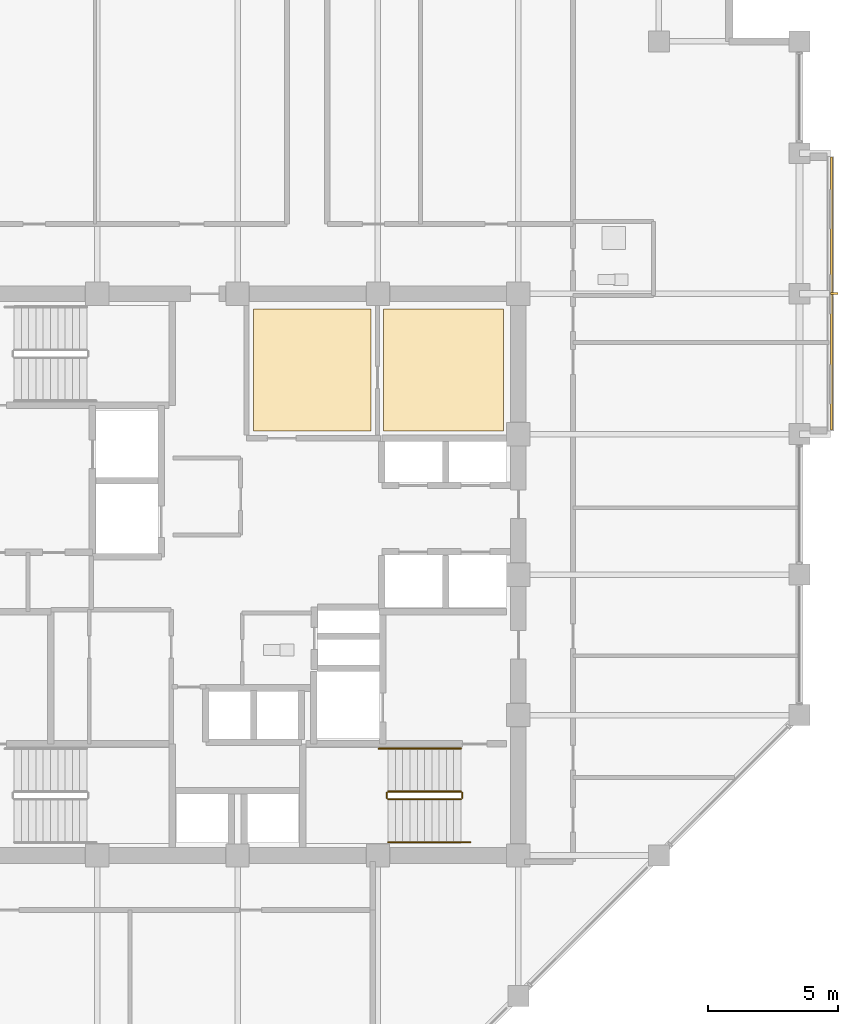
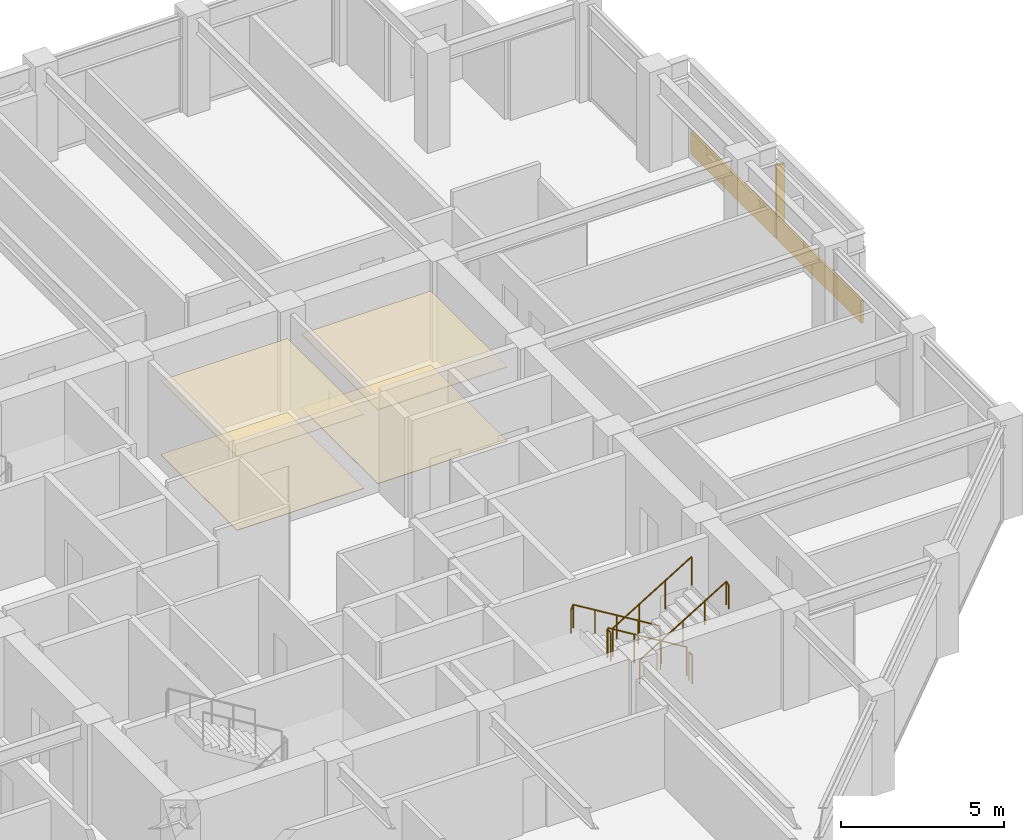
# One storey, part 29 of 30: 6 railings, 5 coverings, 1 shading device.
"""IFC4 building model written with IfcOpenShell, lengths in metres."""

import ifcopenshell
import ifcopenshell.guid

model = None  # the IFC model being written
_history = None  # IfcOwnerHistory: only IFC2X3 demands one
_inside = {}  # id of a spatial element -> (the spatial element, [elements in it])
_under = {}  # id of a project, library or spatial element -> (it, [spatial elements below it])
_declared = {}  # id of a project -> (the project, [libraries it declares])
_typed = {}  # id of a type object -> (the type object, [elements of that type])
_made_of = {}  # id of a material, layer set ... -> (it, [elements and type objects made of it])


def new_model(schema):
    """Start an empty IFC model of exactly this schema.

    Asked for "IFC4X3", IfcOpenShell would pick the latest addendum, in which some entities
    have other attributes; the version numbers below select the first issue.
    IFC2X3 requires an IfcOwnerHistory on every rooted entity: one is made here for all.
    """
    global model, _history
    if schema == "IFC4X3":
        model = ifcopenshell.file(schema_version=(4, 3, 0, 0))
    else:
        model = ifcopenshell.file(schema=schema)
    _inside.clear()
    _under.clear()
    _declared.clear()
    _typed.clear()
    _made_of.clear()
    _history = None
    if model.schema == "IFC2X3":
        org = make("IfcOrganization", Name="unknown")
        user = make(
            "IfcPersonAndOrganization",
            ThePerson=make("IfcPerson", FamilyName="unknown"),
            TheOrganization=org,
        )
        app = make(
            "IfcApplication",
            ApplicationDeveloper=org,
            Version="unknown",
            ApplicationFullName="unknown",
            ApplicationIdentifier="unknown",
        )
        _history = make(
            "IfcOwnerHistory",
            OwningUser=user,
            OwningApplication=app,
            ChangeAction="ADDED",
            CreationDate=0,
        )
    return model


def make(cls, **values):
    """One entity of the class cls with the attributes given. An attribute that is None is left unset."""
    return model.create_entity(
        cls, **{name: value for name, value in values.items() if value is not None}
    )


def rooted(cls, **values):
    """An entity with a GlobalId (a new one), such as an element, a storey or a relation."""
    return make(cls, GlobalId=ifcopenshell.guid.new(), OwnerHistory=_history, **values)


def si_unit(unit_type, name, prefix=None):
    """IfcSIUnit, for example si_unit("LENGTHUNIT", "METRE", prefix="MILLI")."""
    return make("IfcSIUnit", UnitType=unit_type, Prefix=prefix, Name=name)


def assignment(units):
    """IfcUnitAssignment: the units of a project."""
    return None if units is None else make("IfcUnitAssignment", Units=units)


def point(xyz):
    """IfcCartesianPoint."""
    return None if xyz is None else make("IfcCartesianPoint", Coordinates=xyz)


def direction(xyz):
    """IfcDirection."""
    return None if xyz is None else make("IfcDirection", DirectionRatios=xyz)


def frame(location, z_axis=None, x_axis=None):
    """IfcAxis2Placement3D, a coordinate frame: its origin and axes. An axis left out is left unset."""
    return make(
        "IfcAxis2Placement3D",
        Location=point(location),
        Axis=direction(z_axis),
        RefDirection=direction(x_axis),
    )


def frame_2d(location, x_axis=None):
    """IfcAxis2Placement2D, a coordinate frame in the plane: its origin and x axis."""
    return make(
        "IfcAxis2Placement2D", Location=point(location), RefDirection=direction(x_axis)
    )


def origin():
    """The frame at (0, 0, 0) with its axes left unset."""
    return frame((0.0, 0.0, 0.0))


def origin_2d():
    """The frame at (0, 0) in the plane with its x axis left unset."""
    return frame_2d((0.0, 0.0))


def place(relative_to, where):
    """IfcLocalPlacement: puts the frame where relative to a parent placement (None: the world)."""
    return make(
        "IfcLocalPlacement", PlacementRelTo=relative_to, RelativePlacement=where
    )


def context(
    kind, dimensions, precision=None, world=None, true_north=None, identifier=None
):
    """IfcGeometricRepresentationContext, for example the 3D "Model" context."""
    return make(
        "IfcGeometricRepresentationContext",
        ContextIdentifier=identifier,
        ContextType=kind,
        CoordinateSpaceDimension=dimensions,
        Precision=precision,
        WorldCoordinateSystem=world,
        TrueNorth=true_north,
    )


def subcontext(parent, identifier, kind, view, scale=None):
    """IfcGeometricRepresentationSubContext, for example "Body" below "Model"."""
    return make(
        "IfcGeometricRepresentationSubContext",
        ContextIdentifier=identifier,
        ContextType=kind,
        ParentContext=parent,
        TargetScale=scale,
        TargetView=view,
    )


def project(units=None, contexts=None):
    """IfcProject with its units and contexts."""
    return rooted(
        "IfcProject",
        Name="project",
        RepresentationContexts=contexts,
        UnitsInContext=assignment(units),
    )


def spatial(cls, under=None, at=None, **own):
    """A site, building, storey or space (cls), placed at a placement, below another one or the project."""
    s = rooted(cls, ObjectPlacement=at, **own)
    if under is not None:
        _under.setdefault(under.id(), (under, []))[1].append(s)
    return s


def polyline(points):
    """IfcPolyline through the points."""
    return make("IfcPolyline", Points=[point(p) for p in points])


def profile(cls, at=None, kind="AREA", **sizes):
    """A parametric profile (cls). Its sizes go by their IFC names, for example OverallWidth=200.0."""
    return make(cls, ProfileType=kind, Position=at, **sizes)


def rectangle(**sizes):
    """IfcRectangleProfileDef."""
    return profile("IfcRectangleProfileDef", **sizes)


def circle(**sizes):
    """IfcCircleProfileDef."""
    return profile("IfcCircleProfileDef", **sizes)


def outline(outer, holes=None, kind="AREA"):
    """IfcArbitraryClosedProfileDef: a profile drawn as a closed curve; with holes, ...WithVoids."""
    if holes is None:
        return make("IfcArbitraryClosedProfileDef", ProfileType=kind, OuterCurve=outer)
    return make(
        "IfcArbitraryProfileDefWithVoids",
        ProfileType=kind,
        OuterCurve=outer,
        InnerCurves=holes,
    )


def extrude(swept, where, along, depth):
    """IfcExtrudedAreaSolid: the profile swept, set in the frame where, extruded along a direction by depth."""
    return make(
        "IfcExtrudedAreaSolid",
        SweptArea=swept,
        Position=where,
        ExtrudedDirection=direction(along),
        Depth=depth,
    )


def shape(context_of_items, identifier, shape_type, items):
    """IfcShapeRepresentation: the items that make up one representation, for example the "Body"."""
    return make(
        "IfcShapeRepresentation",
        ContextOfItems=context_of_items,
        RepresentationIdentifier=identifier,
        RepresentationType=shape_type,
        Items=items,
    )


def material(Name=None, Category=None):
    """IfcMaterial."""
    return make("IfcMaterial", Name=Name, Category=Category)


def layer(
    of_material, thickness, ventilated=None, Name=None, Category=None, Priority=None
):
    """IfcMaterialLayer: one layer of a wall or slab, of a material (None: an air gap)."""
    return make(
        "IfcMaterialLayer",
        Material=of_material,
        LayerThickness=thickness,
        IsVentilated=ventilated,
        Name=Name,
        Category=Category,
        Priority=Priority,
    )


def layer_set(layers, Name=None):
    """IfcMaterialLayerSet."""
    return make("IfcMaterialLayerSet", MaterialLayers=layers, LayerSetName=Name)


def made_of(thing, what):
    """Note that an element or type object is made of a material, layer set ...; save() writes the relation."""
    if what is not None:
        _made_of.setdefault(what.id(), (what, []))[1].append(thing)
    return thing


def type_object(cls, material=None, **own):
    """A type object (cls), such as IfcWallType, which elements share."""
    return made_of(rooted(cls, **own), material)


def element(
    cls,
    number,
    at=None,
    inside=None,
    cuts=None,
    type_object=None,
    material=None,
    context=None,
    identifier="Body",
    shape_type=None,
    held_by="IfcProductDefinitionShape",
    body=None,
    shapes=None,
    **own,
):
    """One element of the class cls, such as IfcWall. Its Tag is "e" and its number.

    at: its placement. inside: the storey or other place that contains it. cuts: it is an
    opening in that element (IfcRelVoidsElement). A single representation is given by context,
    identifier, shape_type and body (its items); several are given by shapes. held_by: the class
    of the entity that holds the representations. save() writes the other relations.
    """
    e = rooted(cls, Tag="e%d" % number, ObjectPlacement=at, **own)
    if body is not None:
        shapes = [shape(context, identifier, shape_type, body)]
    if shapes is not None:
        e.Representation = make(held_by, Representations=shapes)
    if inside is not None:
        _inside.setdefault(inside.id(), (inside, []))[1].append(e)
    if cuts is not None:
        rooted(
            "IfcRelVoidsElement", RelatingBuildingElement=cuts, RelatedOpeningElement=e
        )
    if type_object is not None:
        _typed.setdefault(type_object.id(), (type_object, []))[1].append(e)
    return made_of(e, material)


def aggregate(whole, parts):
    """IfcRelAggregates: a whole, such as a stair, and the parts it consists of."""
    return rooted("IfcRelAggregates", RelatingObject=whole, RelatedObjects=parts)


def save(model, path):
    """Write the relations noted so far, then the file.

    IfcRelAggregates (storeys below a building ...), IfcRelContainedInSpatialStructure (elements
    in a storey), IfcRelDefinesByType, IfcRelAssociatesMaterial and IfcRelDeclares: one each for
    every whole, place, type object, material and project.
    """
    for whole, parts in _under.values():
        aggregate(whole, parts)
    for where, things in _inside.values():
        rooted(
            "IfcRelContainedInSpatialStructure",
            RelatedElements=things,
            RelatingStructure=where,
        )
    for kind, things in _typed.values():
        rooted("IfcRelDefinesByType", RelatedObjects=things, RelatingType=kind)
    for what, things in _made_of.values():
        rooted("IfcRelAssociatesMaterial", RelatedObjects=things, RelatingMaterial=what)
    for by, libraries in _declared.values():
        rooted("IfcRelDeclares", RelatingContext=by, RelatedDefinitions=libraries)
    model.write(path)


model = new_model("IFC4")

# Units and contexts
model_context = context("Model", 3, precision=1e-05, world=origin(), true_north=direction((0.0, 1.0)))
body_context = subcontext(model_context, "Body", "Model", "MODEL_VIEW")
ifc_project = project(units=[si_unit("LENGTHUNIT", "METRE"), si_unit("AREAUNIT", "SQUARE_METRE"), si_unit("VOLUMEUNIT", "CUBIC_METRE"), si_unit("PLANEANGLEUNIT", "RADIAN"), si_unit("MASSUNIT", "GRAM", prefix="KILO")], contexts=[model_context])

# Site, building, storey
site_placement = place(None, origin())
site = spatial("IfcSite", under=ifc_project, at=site_placement, CompositionType="ELEMENT")
building_placement = place(site_placement, origin())
building = spatial("IfcBuilding", under=site, at=building_placement, Name="Surkhivell Harbour Commons", CompositionType="ELEMENT")
storey_placement = place(building_placement, frame((0.0, 0.0, 231.0)))
storey = spatial("IfcBuildingStorey", under=building, at=storey_placement, Name="L60", CompositionType="ELEMENT", Elevation=231.0)

# Coverings
ifc_material_1 = material(Name="Perforated acoustic mineral-fibre ceiling tile", Category="other")
ifc_layer_1 = layer(ifc_material_1, 0.02490234375)
ifc_layer_set_1 = layer_set([ifc_layer_1], Name="Perforated acoustic mineral-fibre ceiling tile")
covering_type_1 = type_object("IfcCoveringType", Name="COV-CEIL-AC", PredefinedType="CEILING", material=ifc_layer_set_1)
covering_1_placement = place(storey_placement, frame((0.0, 0.0, 2.77490234375)))
element("IfcCovering", 1, at=covering_1_placement, inside=storey, type_object=covering_type_1, Name="L60 Suspended Acoustic Ceiling 1", PredefinedType="CEILING", context=body_context, shape_type="SweptSolid", body=[
    extrude(outline(polyline([(0.6201171875, 5.52001953125), (5.1298828125, 5.52001953125), (5.1298828125, 10.219970703125), (0.6201171875, 10.219970703125), (0.6201171875, 5.52001953125)])), origin(), (0.0, 0.0, 1.0), 0.025146484375),
])
ifc_material_2 = material(Name="Moisture-resistant gypsum acoustic ceiling board", Category="other")
ifc_layer_2 = layer(ifc_material_2, 0.030029296875)
ifc_layer_set_2 = layer_set([ifc_layer_2], Name="Moisture-resistant gypsum acoustic ceiling board")
covering_type_2 = type_object("IfcCoveringType", Name="COV-CEIL-GYP", PredefinedType="CEILING", material=ifc_layer_set_2)
covering_2_placement = place(storey_placement, frame((0.0, 0.0, 2.77001953125)))
element("IfcCovering", 2, at=covering_2_placement, inside=storey, type_object=covering_type_2, Name="L60 Suspended Acoustic Ceiling 2", PredefinedType="CEILING", context=body_context, shape_type="SweptSolid", body=[
    extrude(outline(polyline([(5.6201171875, 5.52001953125), (10.219970703125, 5.52001953125), (10.219970703125, 10.219970703125), (5.6201171875, 10.219970703125), (5.6201171875, 5.52001953125)])), origin(), (0.0, 0.0, 1.0), 0.030029296875),
])
ifc_material_3 = material(Name="Vermilion-coral enamelled aluminium cassette panel", Category="aluminium")
ifc_layer_3 = layer(ifc_material_3, 0.074951171875)
ifc_layer_set_3 = layer_set([ifc_layer_3], Name="Vermilion-coral enamelled aluminium cassette panel")
covering_type_3 = type_object("IfcCoveringType", Name="COV-CLAD-VER", PredefinedType="CLADDING", material=ifc_layer_set_3)
covering_3_placement = place(storey_placement, frame((22.840087890625, 10.800048828125, 0.0), z_axis=(0.0, 0.0, 1.0), x_axis=(1.0, 0.0, 0.0)))
element("IfcCovering", 3, at=covering_3_placement, inside=storey, type_object=covering_type_3, Name="L60 Coloured-Panel Box Spandrel Cassette 01", PredefinedType="CLADDING", context=body_context, shape_type="SweptSolid", body=[
    extrude(rectangle(XDim=0.080078125, YDim=10.5, at=origin_2d()), origin(), (0.0, 0.0, 1.0), 0.840087890625),
])
ifc_material_4 = material(Name="Engineered acoustic oak timber flooring", Category="wood")
ifc_layer_4 = layer(ifc_material_4, 0.02001953125)
ifc_layer_set_4 = layer_set([ifc_layer_4], Name="Engineered acoustic oak timber flooring")
covering_type_4 = type_object("IfcCoveringType", Name="COV-FLR-TIM", PredefinedType="FLOORING", material=ifc_layer_set_4)
covering_4_placement = place(storey_placement, origin())
element("IfcCovering", 4, at=covering_4_placement, inside=storey, type_object=covering_type_4, Name="L60 Interior Floor Finish 1", PredefinedType="FLOORING", context=body_context, shape_type="SweptSolid", body=[
    extrude(outline(polyline([(0.6201171875, 5.52001953125), (5.1298828125, 5.52001953125), (5.1298828125, 10.219970703125), (0.6201171875, 10.219970703125), (0.6201171875, 5.52001953125)])), origin(), (0.0, 0.0, 1.0), 0.02001953125),
])
covering_5_placement = place(storey_placement, origin())
element("IfcCovering", 5, at=covering_5_placement, inside=storey, type_object=covering_type_4, Name="L60 Interior Floor Finish 2", PredefinedType="FLOORING", context=body_context, shape_type="SweptSolid", body=[
    extrude(outline(polyline([(5.6201171875, 5.52001953125), (10.219970703125, 5.52001953125), (10.219970703125, 10.219970703125), (5.6201171875, 10.219970703125), (5.6201171875, 5.52001953125)])), origin(), (0.0, 0.0, 1.0), 0.02001953125),
])

# Railings
ifc_material_5 = material(Name="Galvanised and painted steel S355 guard rail", Category="steel")
railing_type_1 = type_object("IfcRailingType", Name="RAL-ST-GRD1100", PredefinedType="GUARDRAIL", material=ifc_material_5)
railing_1_placement = place(storey_placement, frame((8.590087890625, -8.340087890625, 0.17041015625)))
element("IfcRailing", 6, at=railing_1_placement, inside=storey, type_object=railing_type_1, Name="L60 ST2 stair guard 1", PredefinedType="GUARDRAIL", context=body_context, shape_type="SweptSolid", body=[
    extrude(circle(Radius=0.02392578125, at=origin_2d()), frame((0.0, 0.0, 1.076171875), z_axis=(-0.854169791009, 0.0, 0.51999420009), x_axis=(0.0, -1.0, 0.0)), (0.0, 0.0, 1.0), 3.278076171875),
    extrude(circle(Radius=0.02099609375, at=origin_2d()), origin(), (0.0, 0.0, 1.0), 1.052001953125),
    extrude(circle(Radius=0.02099609375, at=origin_2d()), frame((-0.933349609375, 0.0, 0.568115234375)), (0.0, 0.0, 1.0), 1.052001953125),
    extrude(circle(Radius=0.02099609375, at=origin_2d()), frame((-1.86669921875, 0.0, 1.136474609375)), (0.0, 0.0, 1.0), 1.052001953125),
    extrude(circle(Radius=0.02099609375, at=origin_2d()), frame((-2.800048828125, 0.0, 1.70458984375)), (0.0, 0.0, 1.0), 1.052001953125),
])
railing_2_placement = place(storey_placement, frame((5.739990234375, -8.389892578125, 1.875)))
element("IfcRailing", 7, at=railing_2_placement, inside=storey, type_object=railing_type_1, Name="L60 ST2 stair guard 2", PredefinedType="GUARDRAIL", context=body_context, shape_type="SweptSolid", body=[
    extrude(circle(Radius=0.02392578125, at=origin_2d()), frame((0.0, 0.0, 1.076171875), z_axis=(0.0, -1.0, 0.0), x_axis=(1.0, 0.0, 0.0)), (0.0, 0.0, 1.0), 0.2001953125),
    extrude(circle(Radius=0.02099609375, at=origin_2d()), origin(), (0.0, 0.0, 1.0), 1.052001953125),
    extrude(circle(Radius=0.02099609375, at=origin_2d()), frame((0.0, -0.2001953125, 0.0)), (0.0, 0.0, 1.0), 1.052001953125),
])
railing_3_placement = place(storey_placement, frame((5.7900390625, -8.639892578125, 2.04541015625)))
element("IfcRailing", 8, at=railing_3_placement, inside=storey, type_object=railing_type_1, Name="L60 ST2 stair guard 3", PredefinedType="GUARDRAIL", context=body_context, shape_type="SweptSolid", body=[
    extrude(circle(Radius=0.02392578125, at=origin_2d()), frame((0.0, 0.0, 1.076171875), z_axis=(0.854169791009, 0.0, 0.51999420009), x_axis=(0.0, 1.0, 0.0)), (0.0, 0.0, 1.0), 3.278076171875),
    extrude(circle(Radius=0.02099609375, at=origin_2d()), origin(), (0.0, 0.0, 1.0), 1.052001953125),
    extrude(circle(Radius=0.02099609375, at=origin_2d()), frame((0.933349609375, 0.0, 0.568115234375)), (0.0, 0.0, 1.0), 1.052001953125),
    extrude(circle(Radius=0.02099609375, at=origin_2d()), frame((1.86669921875, 0.0, 1.136474609375)), (0.0, 0.0, 1.0), 1.052001953125),
    extrude(circle(Radius=0.02099609375, at=origin_2d()), frame((2.800048828125, 0.0, 1.70458984375)), (0.0, 0.0, 1.0), 1.052001953125),
])
railing_4_placement = place(storey_placement, frame((8.639892578125, -8.389892578125, 0.0)))
element("IfcRailing", 9, at=railing_4_placement, inside=storey, type_object=railing_type_1, Name="L60 ST2 stair guard 4", PredefinedType="GUARDRAIL", context=body_context, shape_type="SweptSolid", body=[
    extrude(circle(Radius=0.02392578125, at=origin_2d()), frame((0.0, 0.0, 1.076171875), z_axis=(0.0, -1.0, 0.0), x_axis=(1.0, 0.0, 0.0)), (0.0, 0.0, 1.0), 0.2001953125),
    extrude(circle(Radius=0.02099609375, at=origin_2d()), origin(), (0.0, 0.0, 1.0), 1.052001953125),
    extrude(circle(Radius=0.02099609375, at=origin_2d()), frame((0.0, -0.2001953125, 0.0)), (0.0, 0.0, 1.0), 1.052001953125),
])
ifc_material_6 = material(Name="Brushed stainless steel S355 handrail", Category="steel")
railing_type_2 = type_object("IfcRailingType", Name="RAL-ST-HND900", PredefinedType="HANDRAIL", material=ifc_material_6)
railing_5_placement = place(storey_placement, frame((8.590087890625, -6.68994140625, 0.17041015625)))
element("IfcRailing", 10, at=railing_5_placement, inside=storey, type_object=railing_type_2, Name="L60 ST2 stair handrail 1", PredefinedType="HANDRAIL", context=body_context, shape_type="SweptSolid", body=[
    extrude(circle(Radius=0.02392578125, at=origin_2d()), frame((0.0, 0.0, 0.8759765625), z_axis=(-0.854177636135, 0.0, 0.519981313056), x_axis=(0.0, -1.0, 0.0)), (0.0, 0.0, 1.0), 3.60595703125),
    extrude(circle(Radius=0.02392578125, at=origin_2d()), frame((-3.080078125, 0.0, 2.7509765625), z_axis=(-0.425297416671, 0.0, -0.905053648892), x_axis=(0.0, -1.0, 0.0)), (0.0, 0.0, 1.0), 0.188232421875),
    extrude(circle(Radius=0.02099609375, at=origin_2d()), origin(), (0.0, 0.0, 1.0), 0.851806640625),
    extrude(circle(Radius=0.02099609375, at=origin_2d()), frame((-0.77001953125, 0.0, 0.46875)), (0.0, 0.0, 1.0), 0.851806640625),
    extrude(circle(Radius=0.02099609375, at=origin_2d()), frame((-1.5400390625, 0.0, 0.9375)), (0.0, 0.0, 1.0), 0.851806640625),
    extrude(circle(Radius=0.02099609375, at=origin_2d()), frame((-2.31005859375, 0.0, 1.40625)), (0.0, 0.0, 1.0), 0.851806640625),
    extrude(circle(Radius=0.02099609375, at=origin_2d()), frame((-3.080078125, 0.0, 1.875)), (0.0, 0.0, 1.0), 0.851806640625),
    extrude(circle(Radius=0.02099609375, at=origin_2d()), frame((-3.16015625, 0.0, 1.70458984375)), (0.0, 0.0, 1.0), 0.851806640625),
])
railing_6_placement = place(storey_placement, frame((5.7900390625, -10.2900390625, 2.04541015625)))
element("IfcRailing", 11, at=railing_6_placement, inside=storey, type_object=railing_type_2, Name="L60 ST2 stair handrail 2", PredefinedType="HANDRAIL", context=body_context, shape_type="SweptSolid", body=[
    extrude(circle(Radius=0.02392578125, at=origin_2d()), frame((0.0, 0.0, 0.8759765625), z_axis=(0.854177636135, 0.0, 0.519981313056), x_axis=(0.0, 1.0, 0.0)), (0.0, 0.0, 1.0), 3.60595703125),
    extrude(circle(Radius=0.02392578125, at=origin_2d()), frame((3.080078125, 0.0, 2.7509765625), z_axis=(0.424234432967, 0.0, -0.905552398199), x_axis=(0.0, 1.0, 0.0)), (0.0, 0.0, 1.0), 0.188232421875),
    extrude(circle(Radius=0.02099609375, at=origin_2d()), origin(), (0.0, 0.0, 1.0), 0.851806640625),
    extrude(circle(Radius=0.02099609375, at=origin_2d()), frame((0.77001953125, 0.0, 0.46875)), (0.0, 0.0, 1.0), 0.851806640625),
    extrude(circle(Radius=0.02099609375, at=origin_2d()), frame((1.5400390625, 0.0, 0.9375)), (0.0, 0.0, 1.0), 0.851806640625),
    extrude(circle(Radius=0.02099609375, at=origin_2d()), frame((2.31005859375, 0.0, 1.40625)), (0.0, 0.0, 1.0), 0.851806640625),
    extrude(circle(Radius=0.02099609375, at=origin_2d()), frame((3.080078125, 0.0, 1.875)), (0.0, 0.0, 1.0), 0.851806640625),
    extrude(circle(Radius=0.02099609375, at=origin_2d()), frame((3.159912109375, 0.0, 1.70458984375)), (0.0, 0.0, 1.0), 0.851806640625),
])

# Shading device
ifc_material_7 = material(Name="Champagne anodised aluminium solar fin", Category="aluminium")
shading_device_type = type_object("IfcShadingDeviceType", Name="SHD-FIN-SLIM", PredefinedType="USERDEFINED", material=ifc_material_7)
shading_device_placement = place(storey_placement, frame((22.93994140625, 10.800048828125, 0.0048828125), z_axis=(0.0, 0.0, 1.0), x_axis=(1.0, 0.0, 0.0)))
element("IfcShadingDevice", 12, at=shading_device_placement, inside=storey, type_object=shading_device_type, Name="L60 Coloured-Box Solar Fin 01", ObjectType="FIN", PredefinedType="USERDEFINED", context=body_context, shape_type="SweptSolid", body=[
    extrude(rectangle(XDim=0.280029296875, YDim=0.080078125, at=origin_2d()), origin(), (0.0, 0.0, 1.0), 2.75),
])

save(model, "model.ifc")
